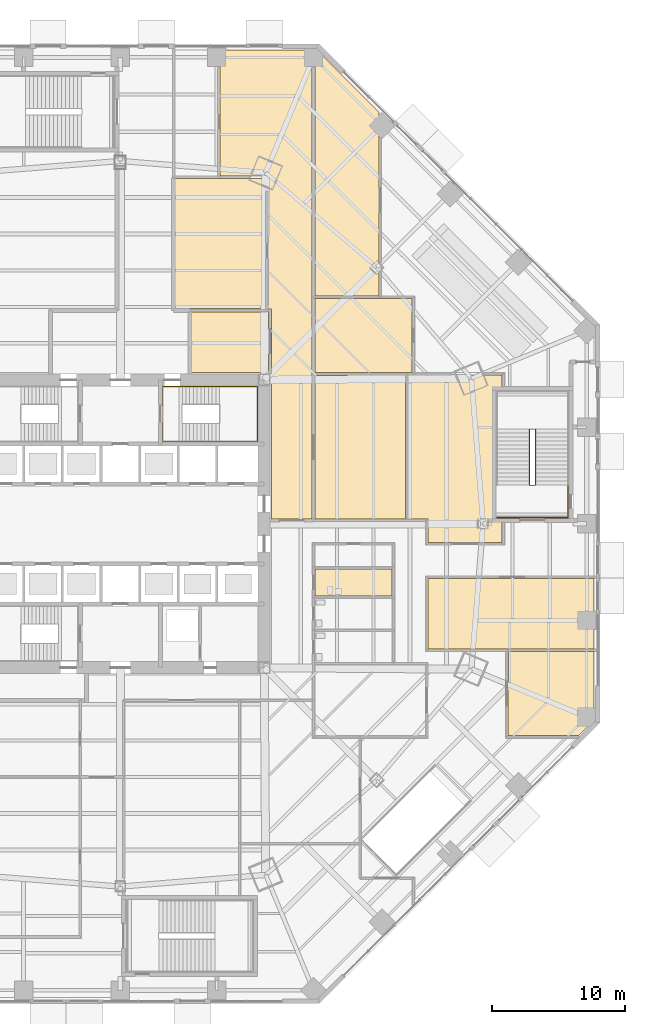
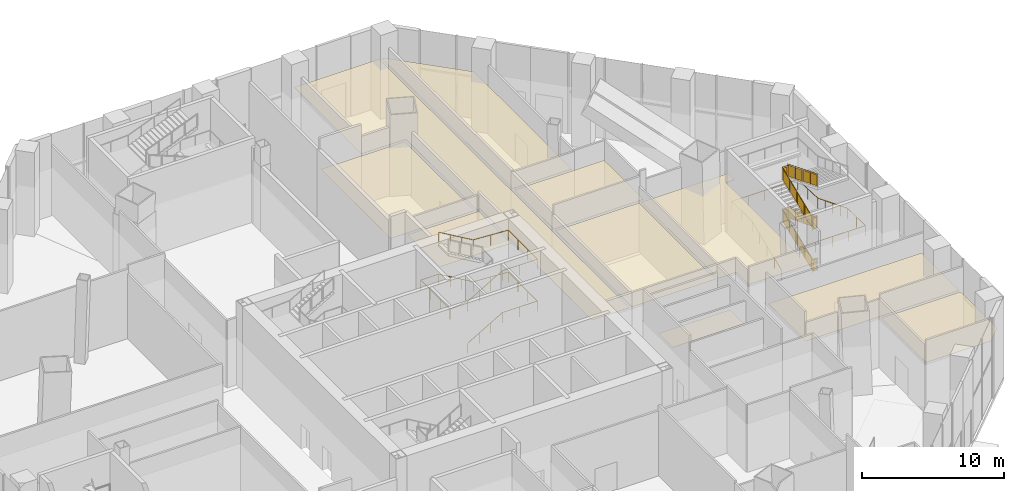
# One storey, part 32 of 35: 10 coverings, 3 railings.
"""IFC4 building model written with IfcOpenShell, lengths in metres."""

from ifc_helpers import new_model, si_unit, direction, frame, origin, origin_2d, place, context, subcontext, project, spatial, polyline, circle, outline, extrude, material, layer, layer_set, type_object, element, save


model = new_model("IFC4")

# Units and contexts
model_context = context("Model", 3, precision=1e-05, world=origin(), true_north=direction((0.0, 1.0)))
body_context = subcontext(model_context, "Body", "Model", "MODEL_VIEW")
ifc_project = project(units=[si_unit("LENGTHUNIT", "METRE"), si_unit("AREAUNIT", "SQUARE_METRE"), si_unit("VOLUMEUNIT", "CUBIC_METRE"), si_unit("PLANEANGLEUNIT", "RADIAN"), si_unit("MASSUNIT", "GRAM", prefix="KILO")], contexts=[model_context])

# Site, building, storey
site_placement = place(None, origin())
site = spatial("IfcSite", under=ifc_project, at=site_placement, CompositionType="ELEMENT")
building_placement = place(site_placement, origin())
building = spatial("IfcBuilding", under=site, at=building_placement, Name="Mashrafa Tower", CompositionType="ELEMENT")
storey_placement = place(building_placement, origin())
storey = spatial("IfcBuildingStorey", under=building, at=storey_placement, Name="L00", CompositionType="ELEMENT", Elevation=0.0)

# Railings
ifc_material_1 = material(Name="Steel guard with glass infill", Category="steel")
railing_type_1 = type_object("IfcRailingType", Name="Stair guard 1100", PredefinedType="GUARDRAIL", material=ifc_material_1)
railing_1_placement = place(storey_placement, frame((31.14990234375, 2.89990234375, 0.0)))
element("IfcRailing", 1, at=railing_1_placement, inside=storey, type_object=railing_type_1, Name="Stair P1 guard L00", PredefinedType="GUARDRAIL", context=body_context, shape_type="SweptSolid", body=[
    extrude(circle(Radius=0.02392578125, at=origin_2d()), frame((0.0, 0.0, 1.076171875), z_axis=(-1.0, 0.0, 0.0), x_axis=(0.0, -1.0, 0.0)), (0.0, 0.0, 1.0), 0.449951171875),
    extrude(circle(Radius=0.02392578125, at=origin_2d()), frame((-0.449951171875, 0.0, 1.076171875), z_axis=(0.0, 0.0, 1.0), x_axis=(1.0, 0.0, 0.0)), (0.0, 0.0, 1.0), 0.1201171875),
    extrude(circle(Radius=0.02392578125, at=origin_2d()), frame((-0.449951171875, 0.0, 1.1962890625), z_axis=(0.0, 0.928487856528, 0.37136276103), x_axis=(-1.0, 0.0, 0.0)), (0.0, 0.0, 1.0), 4.523681640625),
    extrude(circle(Radius=0.02392578125, at=origin_2d()), frame((-0.449951171875, 4.2001953125, 2.8759765625), z_axis=(1.0, 0.0, 0.0), x_axis=(0.0, 1.0, 0.0)), (0.0, 0.0, 1.0), 0.449951171875),
    extrude(circle(Radius=0.02392578125, at=origin_2d()), frame((0.0, 4.2001953125, 2.8759765625), z_axis=(0.0, 0.0, 1.0), x_axis=(1.0, 0.0, 0.0)), (0.0, 0.0, 1.0), 0.119873046875),
    extrude(circle(Radius=0.02392578125, at=origin_2d()), frame((0.0, 4.2001953125, 2.99609375), z_axis=(0.0, -0.928469246806, 0.37140928601), x_axis=(1.0, 0.0, 0.0)), (0.0, 0.0, 1.0), 4.523681640625),
    extrude(circle(Radius=0.02392578125, at=origin_2d()), frame((0.0, 0.0, 4.67626953125), z_axis=(-1.0, 0.0, 0.0), x_axis=(0.0, -1.0, 0.0)), (0.0, 0.0, 1.0), 0.449951171875),
    extrude(circle(Radius=0.02392578125, at=origin_2d()), frame((-0.449951171875, 0.0, 4.67626953125), z_axis=(0.0, 0.0, 1.0), x_axis=(1.0, 0.0, 0.0)), (0.0, 0.0, 1.0), 0.119873046875),
    extrude(circle(Radius=0.02392578125, at=origin_2d()), frame((-0.449951171875, 0.0, 4.7958984375), z_axis=(0.0, 0.928487856528, 0.37136276103), x_axis=(-1.0, 0.0, 0.0)), (0.0, 0.0, 1.0), 4.523681640625),
    extrude(circle(Radius=0.02392578125, at=origin_2d()), frame((-0.449951171875, 4.2001953125, 6.47607421875), z_axis=(1.0, 0.0, 0.0), x_axis=(0.0, 1.0, 0.0)), (0.0, 0.0, 1.0), 0.449951171875),
    extrude(circle(Radius=0.02392578125, at=origin_2d()), frame((0.0, 4.2001953125, 6.47607421875), z_axis=(0.0, 0.0, 1.0), x_axis=(1.0, 0.0, 0.0)), (0.0, 0.0, 1.0), 0.1201171875),
    extrude(circle(Radius=0.02392578125, at=origin_2d()), frame((0.0, 4.2001953125, 6.59619140625), z_axis=(0.0, -0.928487856528, 0.37136276103), x_axis=(1.0, 0.0, 0.0)), (0.0, 0.0, 1.0), 4.523681640625),
    extrude(circle(Radius=0.02099609375, at=origin_2d()), origin(), (0.0, 0.0, 1.0), 1.052001953125),
    extrude(circle(Radius=0.02099609375, at=origin_2d()), frame((-0.449951171875, 0.0, 0.0)), (0.0, 0.0, 1.0), 1.052001953125),
    extrude(circle(Radius=0.02099609375, at=origin_2d()), frame((-0.449951171875, 0.0, 0.1201171875)), (0.0, 0.0, 1.0), 1.052001953125),
    extrude(circle(Radius=0.02099609375, at=origin_2d()), frame((-0.449951171875, 1.050048828125, 0.5400390625)), (0.0, 0.0, 1.0), 1.052001953125),
    extrude(circle(Radius=0.02099609375, at=origin_2d()), frame((-0.449951171875, 2.10009765625, 0.9599609375)), (0.0, 0.0, 1.0), 1.052001953125),
    extrude(circle(Radius=0.02099609375, at=origin_2d()), frame((-0.449951171875, 3.150146484375, 1.380126953125)), (0.0, 0.0, 1.0), 1.052001953125),
    extrude(circle(Radius=0.02099609375, at=origin_2d()), frame((-0.449951171875, 4.2001953125, 1.800048828125)), (0.0, 0.0, 1.0), 1.052001953125),
    extrude(circle(Radius=0.02099609375, at=origin_2d()), frame((0.0, 4.2001953125, 1.800048828125)), (0.0, 0.0, 1.0), 1.052001953125),
    extrude(circle(Radius=0.02099609375, at=origin_2d()), frame((0.0, 4.2001953125, 1.919921875)), (0.0, 0.0, 1.0), 1.052001953125),
    extrude(circle(Radius=0.02099609375, at=origin_2d()), frame((0.0, 3.150146484375, 2.33984375)), (0.0, 0.0, 1.0), 1.052001953125),
    extrude(circle(Radius=0.02099609375, at=origin_2d()), frame((0.0, 2.10009765625, 2.760009765625)), (0.0, 0.0, 1.0), 1.052001953125),
    extrude(circle(Radius=0.02099609375, at=origin_2d()), frame((0.0, 1.050048828125, 3.18017578125)), (0.0, 0.0, 1.0), 1.052001953125),
    extrude(circle(Radius=0.02099609375, at=origin_2d()), frame((0.0, 0.0, 3.60009765625)), (0.0, 0.0, 1.0), 1.052001953125),
    extrude(circle(Radius=0.02099609375, at=origin_2d()), frame((-0.449951171875, 0.0, 3.60009765625)), (0.0, 0.0, 1.0), 1.052001953125),
    extrude(circle(Radius=0.02099609375, at=origin_2d()), frame((-0.449951171875, 0.0, 3.719970703125)), (0.0, 0.0, 1.0), 1.052001953125),
    extrude(circle(Radius=0.02099609375, at=origin_2d()), frame((-0.449951171875, 1.050048828125, 4.139892578125)), (0.0, 0.0, 1.0), 1.052001953125),
    extrude(circle(Radius=0.02099609375, at=origin_2d()), frame((-0.449951171875, 2.10009765625, 4.56005859375)), (0.0, 0.0, 1.0), 1.052001953125),
    extrude(circle(Radius=0.02099609375, at=origin_2d()), frame((-0.449951171875, 3.150146484375, 4.97998046875)), (0.0, 0.0, 1.0), 1.052001953125),
    extrude(circle(Radius=0.02099609375, at=origin_2d()), frame((-0.449951171875, 4.2001953125, 5.39990234375)), (0.0, 0.0, 1.0), 1.052001953125),
    extrude(circle(Radius=0.02099609375, at=origin_2d()), frame((0.0, 4.2001953125, 5.39990234375)), (0.0, 0.0, 1.0), 1.052001953125),
    extrude(circle(Radius=0.02099609375, at=origin_2d()), frame((0.0, 4.2001953125, 5.52001953125)), (0.0, 0.0, 1.0), 1.052001953125),
    extrude(circle(Radius=0.02099609375, at=origin_2d()), frame((0.0, 3.150146484375, 5.93994140625)), (0.0, 0.0, 1.0), 1.052001953125),
    extrude(circle(Radius=0.02099609375, at=origin_2d()), frame((0.0, 2.10009765625, 6.35986328125)), (0.0, 0.0, 1.0), 1.052001953125),
    extrude(circle(Radius=0.02099609375, at=origin_2d()), frame((0.0, 1.050048828125, 6.780029296875)), (0.0, 0.0, 1.0), 1.052001953125),
    extrude(circle(Radius=0.02099609375, at=origin_2d()), frame((0.0, 0.0, 7.199951171875)), (0.0, 0.0, 1.0), 1.052001953125),
    extrude(outline(polyline([(0.071044921875, 0.050048828125), (0.37890625, 0.050048828125), (0.37890625, 1.001953125), (0.071044921875, 1.001953125), (0.071044921875, 0.050048828125)])), frame((0.0, 0.006103515625, 0.0), z_axis=(0.0, 1.0, 0.0), x_axis=(-1.0, 0.0, 0.0)), (0.0, 0.0, 1.0), 0.011962890625),
    extrude(outline(polyline([(0.071044921875, 0.078369140625), (0.97900390625, 0.441650390625), (0.97900390625, 1.3935546875), (0.071044921875, 1.030517578125), (0.071044921875, 0.078369140625)])), frame((-0.44384765625, 0.0, 0.1201171875), z_axis=(1.0, 0.0, 0.0), x_axis=(0.0, 1.0, 0.0)), (0.0, 0.0, 1.0), 0.011962890625),
    extrude(outline(polyline([(1.12109375, 0.498291015625), (2.029052734375, 0.861572265625), (2.029052734375, 1.8134765625), (1.12109375, 1.450439453125), (1.12109375, 0.498291015625)])), frame((-0.44384765625, 0.0, 0.1201171875), z_axis=(1.0, 0.0, 0.0), x_axis=(0.0, 1.0, 0.0)), (0.0, 0.0, 1.0), 0.011962890625),
    extrude(outline(polyline([(2.171142578125, 0.91845703125), (3.0791015625, 1.281494140625), (3.0791015625, 2.233642578125), (2.171142578125, 1.870361328125), (2.171142578125, 0.91845703125)])), frame((-0.44384765625, 0.0, 0.1201171875), z_axis=(1.0, 0.0, 0.0), x_axis=(0.0, 1.0, 0.0)), (0.0, 0.0, 1.0), 0.011962890625),
    extrude(outline(polyline([(3.22119140625, 1.33837890625), (4.129150390625, 1.701416015625), (4.129150390625, 2.653564453125), (3.22119140625, 2.290283203125), (3.22119140625, 1.33837890625)])), frame((-0.44384765625, 0.0, 0.1201171875), z_axis=(1.0, 0.0, 0.0), x_axis=(0.0, 1.0, 0.0)), (0.0, 0.0, 1.0), 0.011962890625),
    extrude(outline(polyline([(0.071044921875, 0.050048828125), (0.37890625, 0.050048828125), (0.37890625, 1.001953125), (0.071044921875, 1.001953125), (0.071044921875, 0.050048828125)])), frame((-0.449951171875, 4.194091796875, 1.800048828125), z_axis=(0.0, -1.0, 0.0), x_axis=(1.0, 0.0, 0.0)), (0.0, 0.0, 1.0), 0.011962890625),
    extrude(outline(polyline([(0.071044921875, 0.078369140625), (0.97900390625, 0.441650390625), (0.97900390625, 1.3935546875), (0.071044921875, 1.030517578125), (0.071044921875, 0.078369140625)])), frame((-0.006103515625, 4.2001953125, 1.919921875), z_axis=(-1.0, 0.0, 0.0), x_axis=(0.0, -1.0, 0.0)), (0.0, 0.0, 1.0), 0.011962890625),
    extrude(outline(polyline([(1.12109375, 0.49853515625), (2.029052734375, 0.861572265625), (2.029052734375, 1.813720703125), (1.12109375, 1.450439453125), (1.12109375, 0.49853515625)])), frame((-0.006103515625, 4.2001953125, 1.919921875), z_axis=(-1.0, 0.0, 0.0), x_axis=(0.0, -1.0, 0.0)), (0.0, 0.0, 1.0), 0.011962890625),
    extrude(outline(polyline([(2.171142578125, 0.91845703125), (3.0791015625, 1.28173828125), (3.0791015625, 2.233642578125), (2.171142578125, 1.87060546875), (2.171142578125, 0.91845703125)])), frame((-0.006103515625, 4.2001953125, 1.919921875), z_axis=(-1.0, 0.0, 0.0), x_axis=(0.0, -1.0, 0.0)), (0.0, 0.0, 1.0), 0.011962890625),
    extrude(outline(polyline([(3.22119140625, 1.338623046875), (4.129150390625, 1.70166015625), (4.129150390625, 2.65380859375), (3.22119140625, 2.29052734375), (3.22119140625, 1.338623046875)])), frame((-0.006103515625, 4.2001953125, 1.919921875), z_axis=(-1.0, 0.0, 0.0), x_axis=(0.0, -1.0, 0.0)), (0.0, 0.0, 1.0), 0.011962890625),
    extrude(outline(polyline([(0.071044921875, 0.050048828125), (0.37890625, 0.050048828125), (0.37890625, 1.001953125), (0.071044921875, 1.001953125), (0.071044921875, 0.050048828125)])), frame((0.0, 0.006103515625, 3.60009765625), z_axis=(0.0, 1.0, 0.0), x_axis=(-1.0, 0.0, 0.0)), (0.0, 0.0, 1.0), 0.011962890625),
    extrude(outline(polyline([(0.071044921875, 0.078369140625), (0.97900390625, 0.441650390625), (0.97900390625, 1.3935546875), (0.071044921875, 1.030517578125), (0.071044921875, 0.078369140625)])), frame((-0.44384765625, 0.0, 3.719970703125), z_axis=(1.0, 0.0, 0.0), x_axis=(0.0, 1.0, 0.0)), (0.0, 0.0, 1.0), 0.011962890625),
    extrude(outline(polyline([(1.12109375, 0.498291015625), (2.029052734375, 0.861572265625), (2.029052734375, 1.8134765625), (1.12109375, 1.450439453125), (1.12109375, 0.498291015625)])), frame((-0.44384765625, 0.0, 3.719970703125), z_axis=(1.0, 0.0, 0.0), x_axis=(0.0, 1.0, 0.0)), (0.0, 0.0, 1.0), 0.011962890625),
    extrude(outline(polyline([(2.171142578125, 0.91845703125), (3.0791015625, 1.281494140625), (3.0791015625, 2.233642578125), (2.171142578125, 1.870361328125), (2.171142578125, 0.91845703125)])), frame((-0.44384765625, 0.0, 3.719970703125), z_axis=(1.0, 0.0, 0.0), x_axis=(0.0, 1.0, 0.0)), (0.0, 0.0, 1.0), 0.011962890625),
    extrude(outline(polyline([(3.22119140625, 1.33837890625), (4.129150390625, 1.701416015625), (4.129150390625, 2.653564453125), (3.22119140625, 2.290283203125), (3.22119140625, 1.33837890625)])), frame((-0.44384765625, 0.0, 3.719970703125), z_axis=(1.0, 0.0, 0.0), x_axis=(0.0, 1.0, 0.0)), (0.0, 0.0, 1.0), 0.011962890625),
    extrude(outline(polyline([(0.071044921875, 0.050048828125), (0.37890625, 0.050048828125), (0.37890625, 1.001953125), (0.071044921875, 1.001953125), (0.071044921875, 0.050048828125)])), frame((-0.449951171875, 4.194091796875, 5.39990234375), z_axis=(0.0, -1.0, 0.0), x_axis=(1.0, 0.0, 0.0)), (0.0, 0.0, 1.0), 0.011962890625),
    extrude(outline(polyline([(0.071044921875, 0.078369140625), (0.97900390625, 0.441650390625), (0.97900390625, 1.3935546875), (0.071044921875, 1.030517578125), (0.071044921875, 0.078369140625)])), frame((-0.006103515625, 4.2001953125, 5.52001953125), z_axis=(-1.0, 0.0, 0.0), x_axis=(0.0, -1.0, 0.0)), (0.0, 0.0, 1.0), 0.011962890625),
    extrude(outline(polyline([(1.12109375, 0.498291015625), (2.029052734375, 0.861572265625), (2.029052734375, 1.8134765625), (1.12109375, 1.450439453125), (1.12109375, 0.498291015625)])), frame((-0.006103515625, 4.2001953125, 5.52001953125), z_axis=(-1.0, 0.0, 0.0), x_axis=(0.0, -1.0, 0.0)), (0.0, 0.0, 1.0), 0.011962890625),
    extrude(outline(polyline([(2.171142578125, 0.91845703125), (3.0791015625, 1.281494140625), (3.0791015625, 2.233642578125), (2.171142578125, 1.870361328125), (2.171142578125, 0.91845703125)])), frame((-0.006103515625, 4.2001953125, 5.52001953125), z_axis=(-1.0, 0.0, 0.0), x_axis=(0.0, -1.0, 0.0)), (0.0, 0.0, 1.0), 0.011962890625),
    extrude(outline(polyline([(3.22119140625, 1.33837890625), (4.129150390625, 1.701416015625), (4.129150390625, 2.653564453125), (3.22119140625, 2.290283203125), (3.22119140625, 1.33837890625)])), frame((-0.006103515625, 4.2001953125, 5.52001953125), z_axis=(-1.0, 0.0, 0.0), x_axis=(0.0, -1.0, 0.0)), (0.0, 0.0, 1.0), 0.011962890625),
])
ifc_material_2 = material(Name="Steel", Category="steel")
railing_type_2 = type_object("IfcRailingType", Name="Stair handrail 900", PredefinedType="HANDRAIL", material=ifc_material_2)
railing_2_placement = place(storey_placement, frame((4.64990234375, 6.199951171875, 0.16357421875)))
element("IfcRailing", 2, at=railing_2_placement, inside=storey, type_object=railing_type_2, Name="Stair S2 handrail L00", PredefinedType="HANDRAIL", context=body_context, shape_type="SweptSolid", body=[
    extrude(circle(Radius=0.02392578125, at=origin_2d()), frame((0.0, 0.0, 0.8759765625), z_axis=(0.863360870873, 0.0, 0.504586966384), x_axis=(0.0, 1.0, 0.0)), (0.0, 0.0, 1.0), 3.2431640625),
    extrude(circle(Radius=0.02392578125, at=origin_2d()), frame((2.800048828125, 0.0, 2.51220703125), z_axis=(1.0, 0.0, 0.0), x_axis=(0.0, 1.0, 0.0)), (0.0, 0.0, 1.0), 2.85009765625),
    extrude(circle(Radius=0.02392578125, at=origin_2d()), frame((5.650146484375, 0.0, 2.51220703125), z_axis=(0.0, 1.0, 0.0), x_axis=(-1.0, 0.0, 0.0)), (0.0, 0.0, 1.0), 4.10009765625),
    extrude(circle(Radius=0.02392578125, at=origin_2d()), frame((5.650146484375, 4.10009765625, 2.51220703125), z_axis=(-0.99835710822, 0.0, 0.057298206485), x_axis=(0.0, -1.0, 0.0)), (0.0, 0.0, 1.0), 2.854736328125),
    extrude(circle(Radius=0.02392578125, at=origin_2d()), frame((2.800048828125, 4.10009765625, 2.67578125), z_axis=(-0.863360870873, 0.0, 0.504586966384), x_axis=(0.0, -1.0, 0.0)), (0.0, 0.0, 1.0), 3.2431640625),
    extrude(circle(Radius=0.02392578125, at=origin_2d()), frame((0.0, 4.10009765625, 4.3125), z_axis=(-1.0, 0.0, 0.0), x_axis=(0.0, -1.0, 0.0)), (0.0, 0.0, 1.0), 1.449951171875),
    extrude(circle(Radius=0.02392578125, at=origin_2d()), frame((-1.449951171875, 4.10009765625, 4.3125), z_axis=(0.0, -1.0, 0.0), x_axis=(1.0, 0.0, 0.0)), (0.0, 0.0, 1.0), 4.10009765625),
    extrude(circle(Radius=0.02392578125, at=origin_2d()), frame((-1.449951171875, 0.0, 4.3125), z_axis=(0.993696648495, 0.0, 0.112102501177), x_axis=(0.0, 1.0, 0.0)), (0.0, 0.0, 1.0), 1.459228515625),
    extrude(circle(Radius=0.02392578125, at=origin_2d()), frame((0.0, 0.0, 4.47607421875), z_axis=(0.863393664356, 0.0, 0.504530851732), x_axis=(0.0, 1.0, 0.0)), (0.0, 0.0, 1.0), 3.2431640625),
    extrude(circle(Radius=0.02392578125, at=origin_2d()), frame((2.800048828125, 0.0, 6.1123046875), z_axis=(1.0, 0.0, 0.0), x_axis=(0.0, 1.0, 0.0)), (0.0, 0.0, 1.0), 2.85009765625),
    extrude(circle(Radius=0.02392578125, at=origin_2d()), frame((5.650146484375, 0.0, 6.1123046875), z_axis=(0.0, 1.0, 0.0), x_axis=(-1.0, 0.0, 0.0)), (0.0, 0.0, 1.0), 4.10009765625),
    extrude(circle(Radius=0.02392578125, at=origin_2d()), frame((5.650146484375, 4.10009765625, 6.1123046875), z_axis=(-0.99835221253, 0.0, 0.057383444801), x_axis=(0.0, -1.0, 0.0)), (0.0, 0.0, 1.0), 2.854736328125),
    extrude(circle(Radius=0.02392578125, at=origin_2d()), frame((2.800048828125, 4.10009765625, 6.27587890625), z_axis=(-0.863393664356, 0.0, 0.504530851732), x_axis=(0.0, -1.0, 0.0)), (0.0, 0.0, 1.0), 3.2431640625),
    extrude(circle(Radius=0.02099609375, at=origin_2d()), origin(), (0.0, 0.0, 1.0), 0.851806640625),
    extrude(circle(Radius=0.02099609375, at=origin_2d()), frame((0.933349609375, 0.0, 0.54541015625)), (0.0, 0.0, 1.0), 0.851806640625),
    extrude(circle(Radius=0.02099609375, at=origin_2d()), frame((1.86669921875, 0.0, 1.091064453125)), (0.0, 0.0, 1.0), 0.851806640625),
    extrude(circle(Radius=0.02099609375, at=origin_2d()), frame((2.800048828125, 0.0, 1.636474609375)), (0.0, 0.0, 1.0), 0.851806640625),
    extrude(circle(Radius=0.02099609375, at=origin_2d()), frame((4.22509765625, 0.0, 1.636474609375)), (0.0, 0.0, 1.0), 0.851806640625),
    extrude(circle(Radius=0.02099609375, at=origin_2d()), frame((5.650146484375, 0.0, 1.636474609375)), (0.0, 0.0, 1.0), 0.851806640625),
    extrude(circle(Radius=0.02099609375, at=origin_2d()), frame((5.650146484375, 1.36669921875, 1.636474609375)), (0.0, 0.0, 1.0), 0.851806640625),
    extrude(circle(Radius=0.02099609375, at=origin_2d()), frame((5.650146484375, 2.7333984375, 1.636474609375)), (0.0, 0.0, 1.0), 0.851806640625),
    extrude(circle(Radius=0.02099609375, at=origin_2d()), frame((5.650146484375, 4.10009765625, 1.636474609375)), (0.0, 0.0, 1.0), 0.851806640625),
    extrude(circle(Radius=0.02099609375, at=origin_2d()), frame((4.22509765625, 4.10009765625, 1.71826171875)), (0.0, 0.0, 1.0), 0.851806640625),
    extrude(circle(Radius=0.02099609375, at=origin_2d()), frame((2.800048828125, 4.10009765625, 1.800048828125)), (0.0, 0.0, 1.0), 0.851806640625),
    extrude(circle(Radius=0.02099609375, at=origin_2d()), frame((1.86669921875, 4.10009765625, 2.345458984375)), (0.0, 0.0, 1.0), 0.851806640625),
    extrude(circle(Radius=0.02099609375, at=origin_2d()), frame((0.933349609375, 4.10009765625, 2.89111328125)), (0.0, 0.0, 1.0), 0.851806640625),
    extrude(circle(Radius=0.02099609375, at=origin_2d()), frame((0.0, 4.10009765625, 3.4365234375)), (0.0, 0.0, 1.0), 0.851806640625),
    extrude(circle(Radius=0.02099609375, at=origin_2d()), frame((-1.449951171875, 4.10009765625, 3.4365234375)), (0.0, 0.0, 1.0), 0.851806640625),
    extrude(circle(Radius=0.02099609375, at=origin_2d()), frame((-1.449951171875, 2.7333984375, 3.4365234375)), (0.0, 0.0, 1.0), 0.851806640625),
    extrude(circle(Radius=0.02099609375, at=origin_2d()), frame((-1.449951171875, 1.36669921875, 3.4365234375)), (0.0, 0.0, 1.0), 0.851806640625),
    extrude(circle(Radius=0.02099609375, at=origin_2d()), frame((-1.449951171875, 0.0, 3.4365234375)), (0.0, 0.0, 1.0), 0.851806640625),
    extrude(circle(Radius=0.02099609375, at=origin_2d()), frame((0.0, 0.0, 3.60009765625)), (0.0, 0.0, 1.0), 0.851806640625),
    extrude(circle(Radius=0.02099609375, at=origin_2d()), frame((0.933349609375, 0.0, 4.1455078125)), (0.0, 0.0, 1.0), 0.851806640625),
    extrude(circle(Radius=0.02099609375, at=origin_2d()), frame((1.86669921875, 0.0, 4.69091796875)), (0.0, 0.0, 1.0), 0.851806640625),
    extrude(circle(Radius=0.02099609375, at=origin_2d()), frame((2.800048828125, 0.0, 5.236328125)), (0.0, 0.0, 1.0), 0.851806640625),
    extrude(circle(Radius=0.02099609375, at=origin_2d()), frame((4.22509765625, 0.0, 5.236328125)), (0.0, 0.0, 1.0), 0.851806640625),
    extrude(circle(Radius=0.02099609375, at=origin_2d()), frame((5.650146484375, 0.0, 5.236328125)), (0.0, 0.0, 1.0), 0.851806640625),
    extrude(circle(Radius=0.02099609375, at=origin_2d()), frame((5.650146484375, 1.36669921875, 5.236328125)), (0.0, 0.0, 1.0), 0.851806640625),
    extrude(circle(Radius=0.02099609375, at=origin_2d()), frame((5.650146484375, 2.7333984375, 5.236328125)), (0.0, 0.0, 1.0), 0.851806640625),
    extrude(circle(Radius=0.02099609375, at=origin_2d()), frame((5.650146484375, 4.10009765625, 5.236328125)), (0.0, 0.0, 1.0), 0.851806640625),
    extrude(circle(Radius=0.02099609375, at=origin_2d()), frame((4.22509765625, 4.10009765625, 5.318359375)), (0.0, 0.0, 1.0), 0.851806640625),
    extrude(circle(Radius=0.02099609375, at=origin_2d()), frame((2.800048828125, 4.10009765625, 5.400146484375)), (0.0, 0.0, 1.0), 0.851806640625),
    extrude(circle(Radius=0.02099609375, at=origin_2d()), frame((1.86669921875, 4.10009765625, 5.945556640625)), (0.0, 0.0, 1.0), 0.851806640625),
    extrude(circle(Radius=0.02099609375, at=origin_2d()), frame((0.933349609375, 4.10009765625, 6.490966796875)), (0.0, 0.0, 1.0), 0.851806640625),
    extrude(circle(Radius=0.02099609375, at=origin_2d()), frame((0.0, 4.10009765625, 7.036376953125)), (0.0, 0.0, 1.0), 0.851806640625),
])
railing_3_placement = place(storey_placement, frame((28.25, 2.89990234375, 0.1201171875)))
element("IfcRailing", 3, at=railing_3_placement, inside=storey, type_object=railing_type_2, Name="Stair P1 handrail L00", PredefinedType="HANDRAIL", context=body_context, shape_type="SweptSolid", body=[
    extrude(circle(Radius=0.02392578125, at=origin_2d()), frame((0.0, 0.0, 0.8759765625), z_axis=(0.0, 0.928487856528, 0.37136276103), x_axis=(-1.0, 0.0, 0.0)), (0.0, 0.0, 1.0), 4.523681640625),
    extrude(circle(Radius=0.02392578125, at=origin_2d()), frame((0.0, 4.2001953125, 2.5556640625), z_axis=(0.0, 1.0, 0.0), x_axis=(-1.0, 0.0, 0.0)), (0.0, 0.0, 1.0), 2.849853515625),
    extrude(circle(Radius=0.02392578125, at=origin_2d()), frame((0.0, 7.050048828125, 2.5556640625), z_axis=(1.0, 0.0, 0.0), x_axis=(0.0, 1.0, 0.0)), (0.0, 0.0, 1.0), 5.35009765625),
    extrude(circle(Radius=0.02392578125, at=origin_2d()), frame((5.35009765625, 7.050048828125, 2.5556640625), z_axis=(0.0, -0.999116529218, 0.042025718825), x_axis=(1.0, 0.0, 0.0)), (0.0, 0.0, 1.0), 2.852294921875),
    extrude(circle(Radius=0.02392578125, at=origin_2d()), frame((5.35009765625, 4.2001953125, 2.67578125), z_axis=(0.0, -0.928469246806, 0.37140928601), x_axis=(1.0, 0.0, 0.0)), (0.0, 0.0, 1.0), 4.523681640625),
    extrude(circle(Radius=0.02392578125, at=origin_2d()), frame((5.35009765625, 0.0, 4.35595703125), z_axis=(0.0, -1.0, 0.0), x_axis=(1.0, 0.0, 0.0)), (0.0, 0.0, 1.0), 2.449951171875),
    extrude(circle(Radius=0.02392578125, at=origin_2d()), frame((5.35009765625, -2.449951171875, 4.35595703125), z_axis=(-1.0, 0.0, 0.0), x_axis=(0.0, -1.0, 0.0)), (0.0, 0.0, 1.0), 5.35009765625),
    extrude(circle(Radius=0.02099609375, at=origin_2d()), origin(), (0.0, 0.0, 1.0), 0.851806640625),
    extrude(circle(Radius=0.02099609375, at=origin_2d()), frame((0.0, 1.050048828125, 0.419921875)), (0.0, 0.0, 1.0), 0.851806640625),
    extrude(circle(Radius=0.02099609375, at=origin_2d()), frame((0.0, 2.10009765625, 0.83984375)), (0.0, 0.0, 1.0), 0.851806640625),
    extrude(circle(Radius=0.02099609375, at=origin_2d()), frame((0.0, 3.150146484375, 1.260009765625)), (0.0, 0.0, 1.0), 0.851806640625),
    extrude(circle(Radius=0.02099609375, at=origin_2d()), frame((0.0, 4.2001953125, 1.679931640625)), (0.0, 0.0, 1.0), 0.851806640625),
    extrude(circle(Radius=0.02099609375, at=origin_2d()), frame((0.0, 5.625, 1.679931640625)), (0.0, 0.0, 1.0), 0.851806640625),
    extrude(circle(Radius=0.02099609375, at=origin_2d()), frame((0.0, 7.050048828125, 1.679931640625)), (0.0, 0.0, 1.0), 0.851806640625),
    extrude(circle(Radius=0.02099609375, at=origin_2d()), frame((1.33740234375, 7.050048828125, 1.679931640625)), (0.0, 0.0, 1.0), 0.851806640625),
    extrude(circle(Radius=0.02099609375, at=origin_2d()), frame((2.675048828125, 7.050048828125, 1.679931640625)), (0.0, 0.0, 1.0), 0.851806640625),
    extrude(circle(Radius=0.02099609375, at=origin_2d()), frame((4.0126953125, 7.050048828125, 1.679931640625)), (0.0, 0.0, 1.0), 0.851806640625),
    extrude(circle(Radius=0.02099609375, at=origin_2d()), frame((5.35009765625, 7.050048828125, 1.679931640625)), (0.0, 0.0, 1.0), 0.851806640625),
    extrude(circle(Radius=0.02099609375, at=origin_2d()), frame((5.35009765625, 5.625, 1.73974609375)), (0.0, 0.0, 1.0), 0.851806640625),
    extrude(circle(Radius=0.02099609375, at=origin_2d()), frame((5.35009765625, 4.2001953125, 1.7998046875)), (0.0, 0.0, 1.0), 0.851806640625),
    extrude(circle(Radius=0.02099609375, at=origin_2d()), frame((5.35009765625, 3.150146484375, 2.2197265625)), (0.0, 0.0, 1.0), 0.851806640625),
    extrude(circle(Radius=0.02099609375, at=origin_2d()), frame((5.35009765625, 2.10009765625, 2.639892578125)), (0.0, 0.0, 1.0), 0.851806640625),
    extrude(circle(Radius=0.02099609375, at=origin_2d()), frame((5.35009765625, 1.050048828125, 3.06005859375)), (0.0, 0.0, 1.0), 0.851806640625),
    extrude(circle(Radius=0.02099609375, at=origin_2d()), frame((5.35009765625, 0.0, 3.47998046875)), (0.0, 0.0, 1.0), 0.851806640625),
    extrude(circle(Radius=0.02099609375, at=origin_2d()), frame((5.35009765625, -1.22509765625, 3.47998046875)), (0.0, 0.0, 1.0), 0.851806640625),
    extrude(circle(Radius=0.02099609375, at=origin_2d()), frame((5.35009765625, -2.449951171875, 3.47998046875)), (0.0, 0.0, 1.0), 0.851806640625),
    extrude(circle(Radius=0.02099609375, at=origin_2d()), frame((4.0126953125, -2.449951171875, 3.47998046875)), (0.0, 0.0, 1.0), 0.851806640625),
    extrude(circle(Radius=0.02099609375, at=origin_2d()), frame((2.675048828125, -2.449951171875, 3.47998046875)), (0.0, 0.0, 1.0), 0.851806640625),
    extrude(circle(Radius=0.02099609375, at=origin_2d()), frame((1.33740234375, -2.449951171875, 3.47998046875)), (0.0, 0.0, 1.0), 0.851806640625),
    extrude(circle(Radius=0.02099609375, at=origin_2d()), frame((0.0, -2.449951171875, 3.47998046875)), (0.0, 0.0, 1.0), 0.851806640625),
])

# Coverings
ifc_material_3 = material(Name="Mineral fibre tile on suspension grid")
ifc_layer = layer(ifc_material_3, 0.014892578125)
ifc_layer_set = layer_set([ifc_layer], Name="Suspended ceiling mineral tile 15")
covering_type = type_object("IfcCoveringType", Name="Suspended ceiling mineral tile 15", PredefinedType="CEILING", material=ifc_layer_set)
covering_1_placement = place(storey_placement, frame((0.0, 0.0, 4.199951171875)))
element("IfcCovering", 4, at=covering_1_placement, inside=storey, type_object=covering_type, Name="Ceiling Accessible WC L00", PredefinedType="CEILING", context=body_context, shape_type="SweptSolid", body=[
    extrude(outline(polyline([(14.60009765625, -3.39990234375), (20.39990234375, -3.39990234375), (20.39990234375, -5.39990234375), (14.60009765625, -5.39990234375), (14.60009765625, -3.39990234375)])), origin(), (0.0, 0.0, 1.0), 0.01513671875),
])
covering_2_placement = place(storey_placement, frame((0.0, 0.0, 4.199951171875)))
element("IfcCovering", 5, at=covering_2_placement, inside=storey, type_object=covering_type, Name="Ceiling Office Visitor Lounge L00", PredefinedType="CEILING", context=body_context, shape_type="SweptSolid", body=[
    extrude(outline(polyline([(5.35009765625, 15.89990234375), (11.14990234375, 15.89990234375), (11.14990234375, 11.35009765625), (5.35009765625, 11.35009765625), (5.35009765625, 15.89990234375)])), origin(), (0.0, 0.0, 1.0), 0.01513671875),
])
covering_3_placement = place(storey_placement, frame((0.0, 0.0, 4.199951171875)))
element("IfcCovering", 6, at=covering_3_placement, inside=storey, type_object=covering_type, Name="Ceiling Security Control Room L00", PredefinedType="CEILING", context=body_context, shape_type="SweptSolid", body=[
    extrude(outline(polyline([(4.10009765625, 25.89990234375), (10.89990234375, 25.89990234375), (10.89990234375, 16.10009765625), (4.10009765625, 16.10009765625), (4.10009765625, 25.89990234375)])), origin(), (0.0, 0.0, 1.0), 0.01513671875),
])
covering_4_placement = place(storey_placement, frame((0.0, 0.0, 4.199951171875)))
element("IfcCovering", 7, at=covering_4_placement, inside=storey, type_object=covering_type, Name="Ceiling Concierge and Parcel Room L00", PredefinedType="CEILING", context=body_context, shape_type="SweptSolid", body=[
    extrude(outline(polyline([(14.60009765625, 11.14990234375), (21.39990234375, 11.14990234375), (21.39990234375, 0.35009765625), (14.60009765625, 0.35009765625), (14.60009765625, 11.14990234375)])), origin(), (0.0, 0.0, 1.0), 0.01513671875),
])
covering_5_placement = place(storey_placement, frame((0.0, 0.0, 4.199951171875)))
element("IfcCovering", 8, at=covering_5_placement, inside=storey, type_object=covering_type, Name="Ceiling Retail Unit 006", PredefinedType="CEILING", context=body_context, shape_type="SweptSolid", body=[
    extrude(outline(polyline([(23.10009765625, 0.35009765625), (21.60009765625, 0.35009765625), (21.60009765625, 11.14990234375), (28.64990234375, 11.14990234375), (28.64990234375, 10.25), (27.949951171875, 10.25), (27.949951171875, 0.14990234375), (28.64990234375, 0.14990234375), (28.64990234375, -1.39990234375), (23.10009765625, -1.39990234375), (23.10009765625, 0.35009765625)])), origin(), (0.0, 0.0, 1.0), 0.01513671875),
])
covering_6_placement = place(storey_placement, frame((0.0, 0.0, 4.199951171875)))
element("IfcCovering", 9, at=covering_6_placement, inside=storey, type_object=covering_type, Name="Ceiling Exhibition Ticket Office L00", PredefinedType="CEILING", context=body_context, shape_type="SweptSolid", body=[
    extrude(outline(polyline([(14.60009765625, 16.89990234375), (21.89990234375, 16.89990234375), (21.89990234375, 11.35009765625), (14.60009765625, 11.35009765625), (14.60009765625, 16.89990234375)])), origin(), (0.0, 0.0, 1.0), 0.01513671875),
])
covering_7_placement = place(storey_placement, frame((0.0, 0.0, 4.199951171875)))
element("IfcCovering", 10, at=covering_7_placement, inside=storey, type_object=covering_type, Name="Ceiling Retail Unit 003", PredefinedType="CEILING", context=body_context, shape_type="SweptSolid", body=[
    extrude(outline(polyline([(14.60009765625, 17.10009765625), (14.60009765625, 35.550048828125), (14.725341796875, 35.550048828125), (19.39990234375, 30.875244140625), (19.39990234375, 17.10009765625), (14.60009765625, 17.10009765625)])), origin(), (0.0, 0.0, 1.0), 0.01513671875),
])
covering_8_placement = place(storey_placement, frame((0.0, 0.0, 4.199951171875)))
element("IfcCovering", 11, at=covering_8_placement, inside=storey, type_object=covering_type, Name="Ceiling Pharmacy L00", PredefinedType="CEILING", context=body_context, shape_type="SweptSolid", body=[
    extrude(outline(polyline([(29.10009765625, -9.60009765625), (35.550048828125, -9.60009765625), (35.550048828125, -14.725341796875), (34.375244140625, -15.89990234375), (29.10009765625, -15.89990234375), (29.10009765625, -9.60009765625)])), origin(), (0.0, 0.0, 1.0), 0.01513671875),
])
covering_9_placement = place(storey_placement, frame((0.0, 0.0, 4.199951171875)))
element("IfcCovering", 12, at=covering_9_placement, inside=storey, type_object=covering_type, Name="Ceiling Retail Unit 002", PredefinedType="CEILING", context=body_context, shape_type="SweptSolid", body=[
    extrude(outline(polyline([(23.10009765625, -4.10009765625), (35.550048828125, -4.10009765625), (35.550048828125, -9.39990234375), (23.10009765625, -9.39990234375), (23.10009765625, -4.10009765625)])), origin(), (0.0, 0.0, 1.0), 0.01513671875),
])
covering_10_placement = place(storey_placement, frame((0.0, 0.0, 4.199951171875)))
element("IfcCovering", 13, at=covering_10_placement, inside=storey, type_object=covering_type, Name="Ceiling Office Lobby", PredefinedType="CEILING", context=body_context, shape_type="SweptSolid", body=[
    extrude(outline(polyline([(11.35009765625, 0.35009765625), (11.35009765625, 16.10009765625), (11.10009765625, 16.10009765625), (11.10009765625, 26.10009765625), (7.5, 26.10009765625), (7.5, 35.550048828125), (14.39990234375, 35.550048828125), (14.39990234375, 0.35009765625), (11.35009765625, 0.35009765625)])), origin(), (0.0, 0.0, 1.0), 0.01513671875),
])

save(model, "model.ifc")
